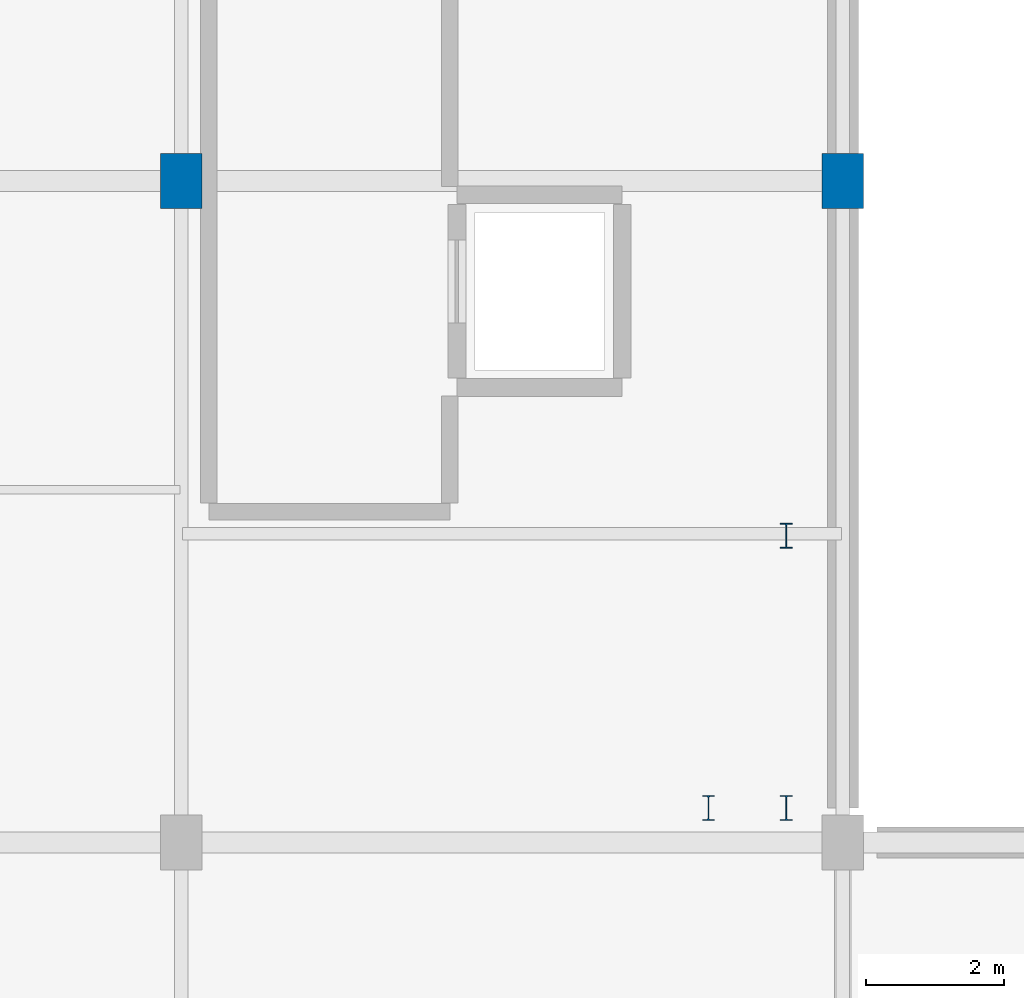
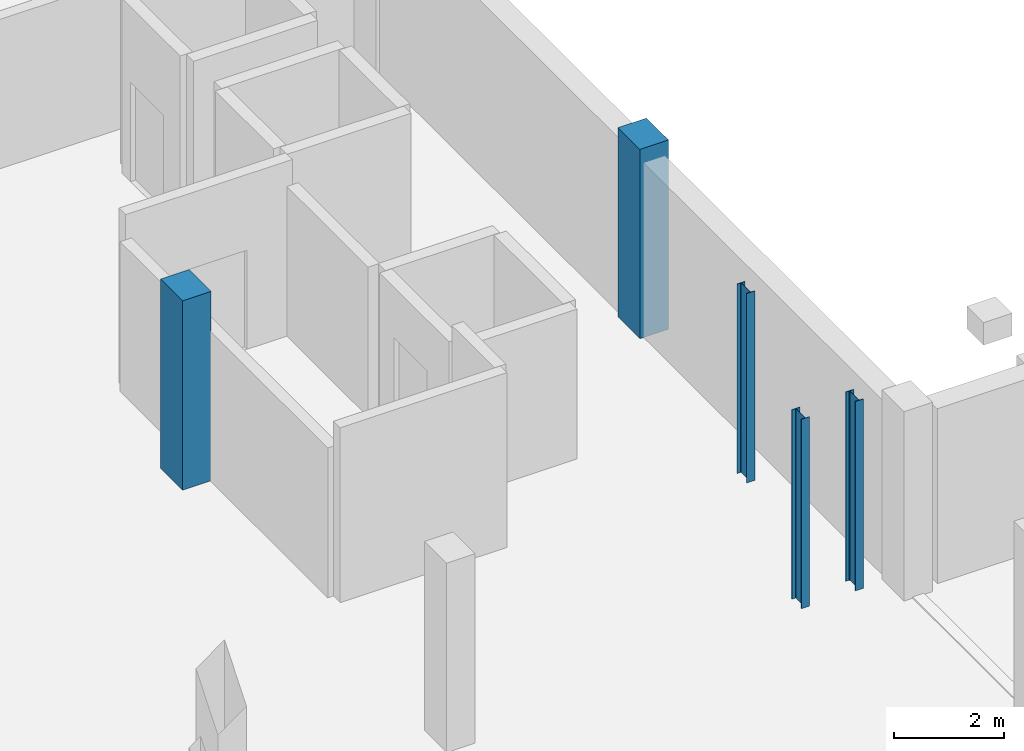
# One storey, part 9 of 47: 5 columns.
"""IFC4 building model written with IfcOpenShell, lengths in metres."""

from ifc_helpers import new_model, si_unit, direction, frame, origin, origin_2d, place, context, subcontext, project, spatial, rectangle, i_section, extrude, material, material_profile, profile_set, type_object, element, save


model = new_model("IFC4")

# Units and contexts
model_context = context("Model", 3, precision=1e-05, world=origin(), true_north=direction((0.0, 1.0)))
body_context = subcontext(model_context, "Body", "Model", "MODEL_VIEW")
ifc_project = project(units=[si_unit("LENGTHUNIT", "METRE"), si_unit("AREAUNIT", "SQUARE_METRE"), si_unit("VOLUMEUNIT", "CUBIC_METRE"), si_unit("PLANEANGLEUNIT", "RADIAN"), si_unit("MASSUNIT", "GRAM", prefix="KILO")], contexts=[model_context])

# Site, building, storey
site_placement = place(None, origin())
site = spatial("IfcSite", under=ifc_project, at=site_placement, CompositionType="ELEMENT")
building_placement = place(site_placement, origin())
building = spatial("IfcBuilding", under=site, at=building_placement, Name="Zevrakil Square Congress Hotel", CompositionType="ELEMENT")
storey_placement = place(building_placement, frame((0.0, 0.0, -4.199951171875)))
storey = spatial("IfcBuildingStorey", under=building, at=storey_placement, Name="B1", CompositionType="ELEMENT", Elevation=-4.199951171875)

# Columns
ifc_material_1 = material(Name="Steel S355", Category="steel")
ifc_material_profile_1 = material_profile(ifc_material_1, i_section(OverallWidth=0.169921875, OverallDepth=0.360107421875, WebThickness=0.008056640625, FlangeThickness=0.0126953125, FilletRadius=0.01806640625, at=origin_2d()), Name="IPE 360")
ifc_profile_set_1 = profile_set([ifc_material_profile_1], Name="Steel S355")
column_type_1 = type_object("IfcColumnType", Name="COL-PILASTER-SHS180", PredefinedType="PILASTER", material=ifc_profile_set_1)
for number, where, z_axis, x_axis, name in (
    (1, (115.64990234375, 46.10009765625, 0.0), (0.0, 0.0, 1.0), (1.0, 0.0, 0.0), "B1 ST07 stair shaft post 1"),
    (2, (116.780029296875, 46.10009765625, 0.0), (0.0, 0.0, 1.0), (1.0, 0.0, 0.0), "B1 ST07 stair shaft post 2"),
    (3, (116.780029296875, 50.050048828125, 0.0), (0.0, 0.0, 1.0), (1.0, 0.0, 0.0), "B1 ST07 stair shaft post 3"),
):
    element("IfcColumn", number, at=place(storey_placement, frame(where, z_axis=z_axis, x_axis=x_axis)), inside=storey, type_object=column_type_1, Name=name, PredefinedType="PILASTER", context=body_context, shape_type="SweptSolid", body=[
        extrude(i_section(OverallWidth=0.169921875, OverallDepth=0.360107421875, WebThickness=0.008056640625, FlangeThickness=0.0126953125, FilletRadius=0.01806640625, at=origin_2d()), origin(), (0.0, 0.0, 1.0), 4.199951171875),
    ])
ifc_material_2 = material(Name="Concrete C40/50", Category="concrete")
ifc_material_profile_2 = material_profile(ifc_material_2, rectangle(XDim=0.60009765625, YDim=0.800048828125, at=origin_2d()), Name="RC 600x800")
ifc_profile_set_2 = profile_set([ifc_material_profile_2], Name="Concrete C40/50")
column_type_2 = type_object("IfcColumnType", Name="COL-RC600x800", PredefinedType="COLUMN", material=ifc_profile_set_2)
for number, where, z_axis, x_axis, name in (
    (4, (108.0, 55.199951171875, 0.0), (0.0, 0.0, 1.0), (1.0, 0.0, 0.0), "B1 column C-169"),
    (5, (117.60009765625, 55.199951171875, 0.0), (0.0, 0.0, 1.0), (1.0, 0.0, 0.0), "B1 column C-187"),
):
    element("IfcColumn", number, at=place(storey_placement, frame(where, z_axis=z_axis, x_axis=x_axis)), inside=storey, type_object=column_type_2, Name=name, PredefinedType="COLUMN", context=body_context, shape_type="SweptSolid", body=[
        extrude(rectangle(XDim=0.60009765625, YDim=0.800048828125, at=origin_2d()), origin(), (0.0, 0.0, 1.0), 4.199951171875),
    ])

save(model, "model.ifc")
